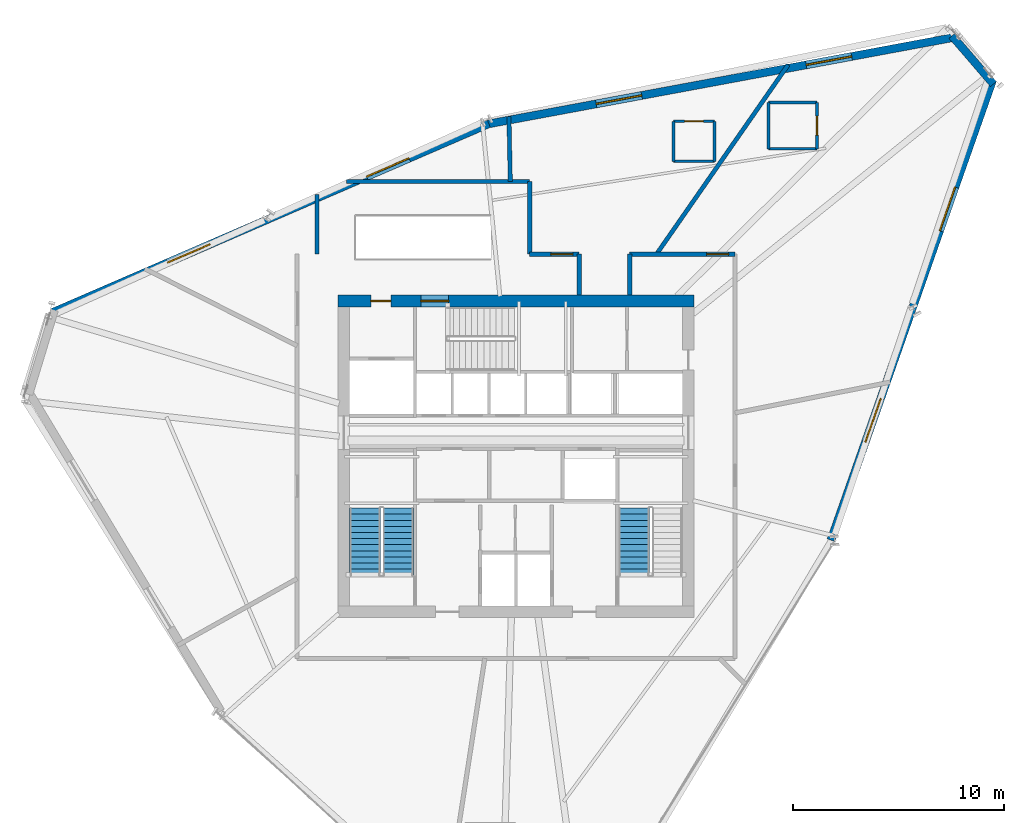
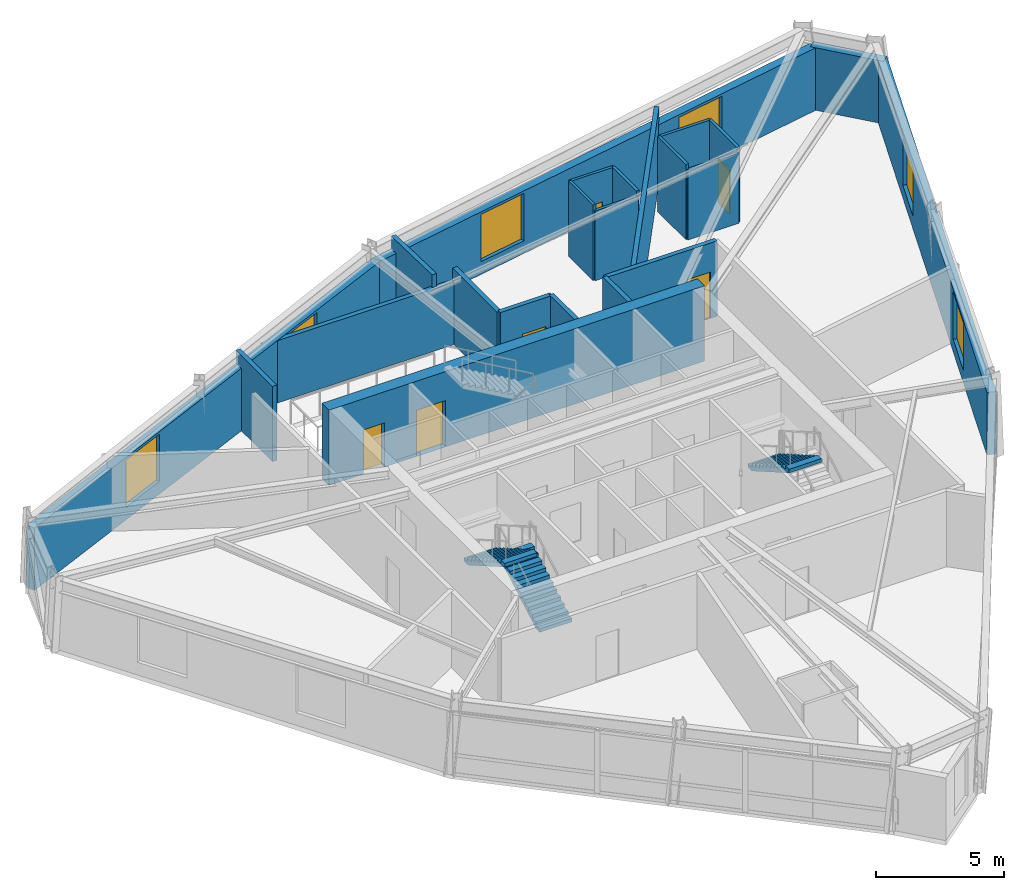
# One storey, part 11 of 13: 22 walls, 6 doors, 6 windows, 3 stair flights, 12 openings, 2 elements without a shape of their own.
"""IFC4 building model written with IfcOpenShell, lengths in metres."""

import ifcopenshell
import ifcopenshell.guid

model = None  # the IFC model being written
_history = None  # IfcOwnerHistory: only IFC2X3 demands one
_inside = {}  # id of a spatial element -> (the spatial element, [elements in it])
_under = {}  # id of a project, library or spatial element -> (it, [spatial elements below it])
_declared = {}  # id of a project -> (the project, [libraries it declares])
_typed = {}  # id of a type object -> (the type object, [elements of that type])
_made_of = {}  # id of a material, layer set ... -> (it, [elements and type objects made of it])


def new_model(schema):
    """Start an empty IFC model of exactly this schema.

    Asked for "IFC4X3", IfcOpenShell would pick the latest addendum, in which some entities
    have other attributes; the version numbers below select the first issue.
    IFC2X3 requires an IfcOwnerHistory on every rooted entity: one is made here for all.
    """
    global model, _history
    if schema == "IFC4X3":
        model = ifcopenshell.file(schema_version=(4, 3, 0, 0))
    else:
        model = ifcopenshell.file(schema=schema)
    _inside.clear()
    _under.clear()
    _declared.clear()
    _typed.clear()
    _made_of.clear()
    _history = None
    if model.schema == "IFC2X3":
        org = make("IfcOrganization", Name="unknown")
        user = make(
            "IfcPersonAndOrganization",
            ThePerson=make("IfcPerson", FamilyName="unknown"),
            TheOrganization=org,
        )
        app = make(
            "IfcApplication",
            ApplicationDeveloper=org,
            Version="unknown",
            ApplicationFullName="unknown",
            ApplicationIdentifier="unknown",
        )
        _history = make(
            "IfcOwnerHistory",
            OwningUser=user,
            OwningApplication=app,
            ChangeAction="ADDED",
            CreationDate=0,
        )
    return model


def make(cls, **values):
    """One entity of the class cls with the attributes given. An attribute that is None is left unset."""
    return model.create_entity(
        cls, **{name: value for name, value in values.items() if value is not None}
    )


def rooted(cls, **values):
    """An entity with a GlobalId (a new one), such as an element, a storey or a relation."""
    return make(cls, GlobalId=ifcopenshell.guid.new(), OwnerHistory=_history, **values)


def si_unit(unit_type, name, prefix=None):
    """IfcSIUnit, for example si_unit("LENGTHUNIT", "METRE", prefix="MILLI")."""
    return make("IfcSIUnit", UnitType=unit_type, Prefix=prefix, Name=name)


def assignment(units):
    """IfcUnitAssignment: the units of a project."""
    return None if units is None else make("IfcUnitAssignment", Units=units)


def point(xyz):
    """IfcCartesianPoint."""
    return None if xyz is None else make("IfcCartesianPoint", Coordinates=xyz)


def direction(xyz):
    """IfcDirection."""
    return None if xyz is None else make("IfcDirection", DirectionRatios=xyz)


def frame(location, z_axis=None, x_axis=None):
    """IfcAxis2Placement3D, a coordinate frame: its origin and axes. An axis left out is left unset."""
    return make(
        "IfcAxis2Placement3D",
        Location=point(location),
        Axis=direction(z_axis),
        RefDirection=direction(x_axis),
    )


def frame_2d(location, x_axis=None):
    """IfcAxis2Placement2D, a coordinate frame in the plane: its origin and x axis."""
    return make(
        "IfcAxis2Placement2D", Location=point(location), RefDirection=direction(x_axis)
    )


def origin():
    """The frame at (0, 0, 0) with its axes left unset."""
    return frame((0.0, 0.0, 0.0))


def place(relative_to, where):
    """IfcLocalPlacement: puts the frame where relative to a parent placement (None: the world)."""
    return make(
        "IfcLocalPlacement", PlacementRelTo=relative_to, RelativePlacement=where
    )


def context(
    kind, dimensions, precision=None, world=None, true_north=None, identifier=None
):
    """IfcGeometricRepresentationContext, for example the 3D "Model" context."""
    return make(
        "IfcGeometricRepresentationContext",
        ContextIdentifier=identifier,
        ContextType=kind,
        CoordinateSpaceDimension=dimensions,
        Precision=precision,
        WorldCoordinateSystem=world,
        TrueNorth=true_north,
    )


def subcontext(parent, identifier, kind, view, scale=None):
    """IfcGeometricRepresentationSubContext, for example "Body" below "Model"."""
    return make(
        "IfcGeometricRepresentationSubContext",
        ContextIdentifier=identifier,
        ContextType=kind,
        ParentContext=parent,
        TargetScale=scale,
        TargetView=view,
    )


def project(units=None, contexts=None):
    """IfcProject with its units and contexts."""
    return rooted(
        "IfcProject",
        Name="project",
        RepresentationContexts=contexts,
        UnitsInContext=assignment(units),
    )


def spatial(cls, under=None, at=None, **own):
    """A site, building, storey or space (cls), placed at a placement, below another one or the project."""
    s = rooted(cls, ObjectPlacement=at, **own)
    if under is not None:
        _under.setdefault(under.id(), (under, []))[1].append(s)
    return s


def polyline(points):
    """IfcPolyline through the points."""
    return make("IfcPolyline", Points=[point(p) for p in points])


def profile(cls, at=None, kind="AREA", **sizes):
    """A parametric profile (cls). Its sizes go by their IFC names, for example OverallWidth=200.0."""
    return make(cls, ProfileType=kind, Position=at, **sizes)


def rectangle(**sizes):
    """IfcRectangleProfileDef."""
    return profile("IfcRectangleProfileDef", **sizes)


def outline(outer, holes=None, kind="AREA"):
    """IfcArbitraryClosedProfileDef: a profile drawn as a closed curve; with holes, ...WithVoids."""
    if holes is None:
        return make("IfcArbitraryClosedProfileDef", ProfileType=kind, OuterCurve=outer)
    return make(
        "IfcArbitraryProfileDefWithVoids",
        ProfileType=kind,
        OuterCurve=outer,
        InnerCurves=holes,
    )


def extrude(swept, where, along, depth):
    """IfcExtrudedAreaSolid: the profile swept, set in the frame where, extruded along a direction by depth."""
    return make(
        "IfcExtrudedAreaSolid",
        SweptArea=swept,
        Position=where,
        ExtrudedDirection=direction(along),
        Depth=depth,
    )


def shape(context_of_items, identifier, shape_type, items):
    """IfcShapeRepresentation: the items that make up one representation, for example the "Body"."""
    return make(
        "IfcShapeRepresentation",
        ContextOfItems=context_of_items,
        RepresentationIdentifier=identifier,
        RepresentationType=shape_type,
        Items=items,
    )


def source(mapping_origin, context_of_items, identifier, shape_type, items):
    """IfcRepresentationMap: a shape defined once, which mapped items show again and again."""
    return make(
        "IfcRepresentationMap",
        MappingOrigin=mapping_origin,
        MappedRepresentation=shape(context_of_items, identifier, shape_type, items),
    )


def transform(
    local_origin,
    x_axis=None,
    y_axis=None,
    z_axis=None,
    scale=None,
    scale2=None,
    scale3=None,
    uniform=True,
):
    """IfcCartesianTransformationOperator3D, or its non-uniform kind. x_axis, y_axis, z_axis: its Axis1, 2, 3."""
    if uniform:
        return make(
            "IfcCartesianTransformationOperator3D",
            Axis1=direction(x_axis),
            Axis2=direction(y_axis),
            LocalOrigin=point(local_origin),
            Scale=scale,
            Axis3=direction(z_axis),
        )
    return make(
        "IfcCartesianTransformationOperator3DnonUniform",
        Axis1=direction(x_axis),
        Axis2=direction(y_axis),
        LocalOrigin=point(local_origin),
        Scale=scale,
        Axis3=direction(z_axis),
        Scale2=scale2,
        Scale3=scale3,
    )


def mapped(mapping_source, mapping_target):
    """IfcMappedItem: shows the shape of a source again, moved by a transform."""
    return make(
        "IfcMappedItem", MappingSource=mapping_source, MappingTarget=mapping_target
    )


def material(Name=None, Category=None):
    """IfcMaterial."""
    return make("IfcMaterial", Name=Name, Category=Category)


def layer(
    of_material, thickness, ventilated=None, Name=None, Category=None, Priority=None
):
    """IfcMaterialLayer: one layer of a wall or slab, of a material (None: an air gap)."""
    return make(
        "IfcMaterialLayer",
        Material=of_material,
        LayerThickness=thickness,
        IsVentilated=ventilated,
        Name=Name,
        Category=Category,
        Priority=Priority,
    )


def layer_set(layers, Name=None):
    """IfcMaterialLayerSet."""
    return make("IfcMaterialLayerSet", MaterialLayers=layers, LayerSetName=Name)


def made_of(thing, what):
    """Note that an element or type object is made of a material, layer set ...; save() writes the relation."""
    if what is not None:
        _made_of.setdefault(what.id(), (what, []))[1].append(thing)
    return thing


def type_object(cls, material=None, **own):
    """A type object (cls), such as IfcWallType, which elements share."""
    return made_of(rooted(cls, **own), material)


def type_shapes(of_type, sources):
    """Give a type object the sources (RepresentationMaps) that its elements show as mapped items."""
    of_type.RepresentationMaps = sources


def element(
    cls,
    number,
    at=None,
    inside=None,
    cuts=None,
    type_object=None,
    material=None,
    context=None,
    identifier="Body",
    shape_type=None,
    held_by="IfcProductDefinitionShape",
    body=None,
    shapes=None,
    **own,
):
    """One element of the class cls, such as IfcWall. Its Tag is "e" and its number.

    at: its placement. inside: the storey or other place that contains it. cuts: it is an
    opening in that element (IfcRelVoidsElement). A single representation is given by context,
    identifier, shape_type and body (its items); several are given by shapes. held_by: the class
    of the entity that holds the representations. save() writes the other relations.
    """
    e = rooted(cls, Tag="e%d" % number, ObjectPlacement=at, **own)
    if body is not None:
        shapes = [shape(context, identifier, shape_type, body)]
    if shapes is not None:
        e.Representation = make(held_by, Representations=shapes)
    if inside is not None:
        _inside.setdefault(inside.id(), (inside, []))[1].append(e)
    if cuts is not None:
        rooted(
            "IfcRelVoidsElement", RelatingBuildingElement=cuts, RelatedOpeningElement=e
        )
    if type_object is not None:
        _typed.setdefault(type_object.id(), (type_object, []))[1].append(e)
    return made_of(e, material)


def fill(opening, filler):
    """IfcRelFillsElement: the door or window that sits in an opening."""
    return rooted(
        "IfcRelFillsElement",
        RelatingOpeningElement=opening,
        RelatedBuildingElement=filler,
    )


def aggregate(whole, parts):
    """IfcRelAggregates: a whole, such as a stair, and the parts it consists of."""
    return rooted("IfcRelAggregates", RelatingObject=whole, RelatedObjects=parts)


def save(model, path):
    """Write the relations noted so far, then the file.

    IfcRelAggregates (storeys below a building ...), IfcRelContainedInSpatialStructure (elements
    in a storey), IfcRelDefinesByType, IfcRelAssociatesMaterial and IfcRelDeclares: one each for
    every whole, place, type object, material and project.
    """
    for whole, parts in _under.values():
        aggregate(whole, parts)
    for where, things in _inside.values():
        rooted(
            "IfcRelContainedInSpatialStructure",
            RelatedElements=things,
            RelatingStructure=where,
        )
    for kind, things in _typed.values():
        rooted("IfcRelDefinesByType", RelatedObjects=things, RelatingType=kind)
    for what, things in _made_of.values():
        rooted("IfcRelAssociatesMaterial", RelatedObjects=things, RelatingMaterial=what)
    for by, libraries in _declared.values():
        rooted("IfcRelDeclares", RelatingContext=by, RelatedDefinitions=libraries)
    model.write(path)


model = new_model("IFC4")

# Units and contexts
model_context = context("Model", 3, precision=1e-05, world=origin(), true_north=direction((0.0, 1.0)))
body_context = subcontext(model_context, "Body", "Model", "MODEL_VIEW")
ifc_project = project(units=[si_unit("LENGTHUNIT", "METRE"), si_unit("AREAUNIT", "SQUARE_METRE"), si_unit("VOLUMEUNIT", "CUBIC_METRE"), si_unit("PLANEANGLEUNIT", "RADIAN"), si_unit("MASSUNIT", "GRAM", prefix="KILO")], contexts=[model_context])

# Site, building, storey
site_placement = place(None, origin())
site = spatial("IfcSite", under=ifc_project, at=site_placement, CompositionType="ELEMENT")
building_placement = place(site_placement, origin())
building = spatial("IfcBuilding", under=site, at=building_placement, Name="Olszyna Solenne Hotel", CompositionType="ELEMENT")
storey_placement = place(building_placement, frame((0.0, 0.0, 200.300048828125)))
storey = spatial("IfcBuildingStorey", under=building, at=storey_placement, Name="L53", CompositionType="ELEMENT", Elevation=200.300048828125)

# Wall, openings, doors
ifc_material_1 = material(Name="Concrete C50/60", Category="concrete")
ifc_layer_1 = layer(ifc_material_1, 0.550048828125, Name="Concrete C50/60")
ifc_layer_set_1 = layer_set([ifc_layer_1], Name="Concrete C50/60")
wall_type_1 = type_object("IfcWallType", Name="WL-CR550", PredefinedType="SHEAR", material=ifc_layer_set_1)
wall_1_placement = place(storey_placement, frame((29.550048828125, 33.97509765625, 0.0), z_axis=(0.0, 0.0, 1.0), x_axis=(1.0, 0.0, 0.0)))
wall_1 = element("IfcWall", 1, at=wall_1_placement, inside=storey, type_object=wall_type_1, Name="Core shear wall WL-CR550 CRW-L53-N", PredefinedType="SHEAR", context=body_context, shape_type="SweptSolid", body=[
    extrude(rectangle(XDim=16.89990234375, YDim=0.550048828125, at=frame_2d((8.449951171875, 0.0))), origin(), (0.0, 0.0, 1.0), 3.579833984375),
])
opening_1_placement = place(wall_1_placement, frame((1.550048828125, 0.0, 0.0)))
opening_1 = element("IfcOpeningElement", 2, at=opening_1_placement, cuts=wall_1, Name="Opening SVD-L53-01", PredefinedType="OPENING", context=body_context, shape_type="SweptSolid", body=[
    extrude(rectangle(XDim=0.949951171875, YDim=2.10009765625, at=frame_2d((0.47509765625, 1.050048828125))), frame((0.0, 0.28515625, 0.0), z_axis=(0.0, -1.0, 0.0), x_axis=(1.0, 0.0, 0.0)), (0.0, 0.0, 1.0), 0.570068359375),
])
opening_2_placement = place(wall_1_placement, frame((3.929931640625, 0.0, 0.0)))
opening_2 = element("IfcOpeningElement", 3, at=opening_2_placement, cuts=wall_1, Name="Opening STD-L53-03", PredefinedType="OPENING", context=body_context, shape_type="SweptSolid", body=[
    extrude(rectangle(XDim=1.320068359375, YDim=2.199951171875, at=frame_2d((0.66015625, 1.10009765625))), frame((0.0, 0.28515625, 0.0), z_axis=(0.0, -1.0, 0.0), x_axis=(1.0, 0.0, 0.0)), (0.0, 0.0, 1.0), 0.570068359375),
])
ifc_material_2 = material(Name="Steel S355J2", Category="steel")
door_type_1 = type_object("IfcDoorType", Name="DR-ST1", OperationType="NOTDEFINED", PredefinedType="DOOR", material=ifc_material_2)
shared_shape_1 = source(origin(), body_context, "Body", "SweptSolid", [
    extrude(rectangle(XDim=1.320068359375, YDim=2.199951171875, at=frame_2d((0.66015625, 1.10009765625))), frame((0.0, 0.02490234375, 0.0), z_axis=(0.0, -1.0, 0.0), x_axis=(1.0, 0.0, 0.0)), (0.0, 0.0, 1.0), 0.050048828125),
])
type_shapes(door_type_1, [shared_shape_1])
door_1_placement = place(opening_2_placement, origin())
door_1 = element("IfcDoor", 4, at=door_1_placement, inside=storey, type_object=door_type_1, Name="Pressurised exit stair ST3 fire door STD-L53-03", OperationType="SINGLE_SWING_RIGHT", OverallHeight=2.199951171875, OverallWidth=1.320068359375, PredefinedType="DOOR", context=body_context, shape_type="MappedRepresentation", body=[
    mapped(shared_shape_1, transform((0.0, 0.0, 0.0), x_axis=(1.0, 0.0, 0.0), y_axis=(0.0, 1.0, 0.0), z_axis=(0.0, 0.0, 1.0), scale=1.0)),
])
fill(opening_2, door_1)
door_type_2 = type_object("IfcDoorType", Name="DR-SV1", OperationType="NOTDEFINED", PredefinedType="DOOR", material=ifc_material_2)
shared_shape_2 = source(origin(), body_context, "Body", "SweptSolid", [
    extrude(rectangle(XDim=0.949951171875, YDim=2.10009765625, at=frame_2d((0.47509765625, 1.050048828125))), frame((0.0, 0.02490234375, 0.0), z_axis=(0.0, -1.0, 0.0), x_axis=(1.0, 0.0, 0.0)), (0.0, 0.0, 1.0), 0.050048828125),
])
type_shapes(door_type_2, [shared_shape_2])
door_2_placement = place(opening_1_placement, origin())
door_2 = element("IfcDoor", 5, at=door_2_placement, inside=storey, type_object=door_type_2, Name="Service lift lobby fire door SVD-L53-01", OperationType="SINGLE_SWING_LEFT", OverallHeight=2.10009765625, OverallWidth=0.949951171875, PredefinedType="DOOR", context=body_context, shape_type="MappedRepresentation", body=[
    mapped(shared_shape_2, transform((0.0, 0.0, 0.0), x_axis=(1.0, 0.0, 0.0), y_axis=(0.0, 1.0, 0.0), z_axis=(0.0, 0.0, 1.0), scale=1.0)),
])
fill(opening_1, door_2)

# Wall, openings, windows
ifc_material_3 = material(Name="Terracotta cladding on precast concrete C45/55", Category="masonry")
ifc_layer_2 = layer(ifc_material_3, 0.3798828125, Name="Terracotta cladding on precast concrete C45/55")
ifc_layer_set_2 = layer_set([ifc_layer_2], Name="Terracotta cladding on precast concrete C45/55")
wall_type_2 = type_object("IfcWallType", Name="WL-EX380", PredefinedType="SOLIDWALL", material=ifc_layer_set_2)
wall_2_placement = place(storey_placement, frame((15.96630859375, 33.426025390625, 0.0), z_axis=(0.0, 0.0, 1.0), x_axis=(0.917865013835, 0.396892701341, 0.0)))
wall_2 = element("IfcWall", 6, at=wall_2_placement, inside=storey, type_object=wall_type_2, Name="Exterior terracotta-precast frame wall WL-EX380 EW-L53-07", PredefinedType="SOLIDWALL", context=body_context, shape_type="SweptSolid", body=[
    extrude(rectangle(XDim=22.59814453125, YDim=0.3798828125, at=frame_2d((11.299072265625, 0.0))), origin(), (0.0, 0.0, 1.0), 2.971923828125),
])
opening_3_placement = place(wall_2_placement, frame((5.97705078125, 0.0, 0.60205078125)))
opening_3 = element("IfcOpeningElement", 7, at=opening_3_placement, cuts=wall_2, Name="Opening WN-L53-344", PredefinedType="OPENING", context=body_context, shape_type="SweptSolid", body=[
    extrude(rectangle(XDim=2.199951171875, YDim=2.25, at=frame_2d((1.10009765625, 1.125))), frame((0.0, 0.199951171875, 0.0), z_axis=(0.0, -1.0, 0.0), x_axis=(1.0, 0.0, 0.0)), (0.0, 0.0, 1.0), 0.39990234375),
])
opening_4_placement = place(wall_2_placement, frame((16.27001953125, 0.0, 0.60205078125)))
opening_4 = element("IfcOpeningElement", 8, at=opening_4_placement, cuts=wall_2, Name="Opening WN-L53-345", PredefinedType="OPENING", context=body_context, shape_type="SweptSolid", body=[
    extrude(rectangle(XDim=2.199951171875, YDim=2.25, at=frame_2d((1.10009765625, 1.125))), frame((0.0, 0.199951171875, 0.0), z_axis=(0.0, -1.0, 0.0), x_axis=(1.0, 0.0, 0.0)), (0.0, 0.0, 1.0), 0.39990234375),
])
ifc_material_4 = material(Name="Low-E triple glazing", Category="glass")
window_type = type_object("IfcWindowType", Name="WN-HT2", PartitioningType="SINGLE_PANEL", PredefinedType="WINDOW", material=ifc_material_4)
shared_shape_3 = source(origin(), body_context, "Body", "SweptSolid", [
    extrude(rectangle(XDim=2.199951171875, YDim=2.25, at=frame_2d((1.10009765625, 1.125))), frame((0.0, 0.030029296875, 0.0), z_axis=(0.0, -1.0, 0.0), x_axis=(1.0, 0.0, 0.0)), (0.0, 0.0, 1.0), 0.06005859375),
])
type_shapes(window_type, [shared_shape_3])
window_1_placement = place(opening_3_placement, origin())
window_1 = element("IfcWindow", 9, at=window_1_placement, inside=storey, type_object=window_type, Name="Exterior facade window WN-HT2 WN-L53-344", OverallHeight=2.25, OverallWidth=2.199951171875, PartitioningType="SINGLE_PANEL", PredefinedType="WINDOW", context=body_context, shape_type="MappedRepresentation", body=[
    mapped(shared_shape_3, transform((0.0, 0.0, 0.0), x_axis=(1.0, 0.0, 0.0), y_axis=(0.0, 1.0, 0.0), z_axis=(0.0, 0.0, 1.0), scale=1.0)),
])
fill(opening_3, window_1)
window_2_placement = place(opening_4_placement, origin())
window_2 = element("IfcWindow", 10, at=window_2_placement, inside=storey, type_object=window_type, Name="Exterior facade window WN-HT2 WN-L53-345", OverallHeight=2.25, OverallWidth=2.199951171875, PartitioningType="SINGLE_PANEL", PredefinedType="WINDOW", context=body_context, shape_type="MappedRepresentation", body=[
    mapped(shared_shape_3, transform((0.0, 0.0, 0.0), x_axis=(1.0, 0.0, 0.0), y_axis=(0.0, 1.0, 0.0), z_axis=(0.0, 0.0, 1.0), scale=1.0)),
])
fill(opening_4, window_2)

wall_3_placement = place(storey_placement, frame((36.66748046875, 42.382568359375, 0.0), z_axis=(0.0, 0.0, 1.0), x_axis=(0.983180478303, 0.182636653177, 0.0)))
wall_3 = element("IfcWall", 11, at=wall_3_placement, inside=storey, type_object=wall_type_2, Name="Exterior terracotta-precast frame wall WL-EX380 EW-L53-08", PredefinedType="SOLIDWALL", context=body_context, shape_type="SweptSolid", body=[
    extrude(rectangle(XDim=22.597900390625, YDim=0.3798828125, at=frame_2d((11.298828125, 0.0))), origin(), (0.0, 0.0, 1.0), 2.971923828125),
])
opening_5_placement = place(wall_3_placement, frame((5.22705078125, 0.0, 0.60205078125)))
opening_5 = element("IfcOpeningElement", 12, at=opening_5_placement, cuts=wall_3, Name="Opening WN-L53-346", PredefinedType="OPENING", context=body_context, shape_type="SweptSolid", body=[
    extrude(rectangle(XDim=2.199951171875, YDim=2.25, at=frame_2d((1.10009765625, 1.125))), frame((0.0, 0.199951171875, 0.0), z_axis=(0.0, -1.0, 0.0), x_axis=(1.0, 0.0, 0.0)), (0.0, 0.0, 1.0), 0.39990234375),
])
opening_6_placement = place(wall_3_placement, frame((15.3701171875, 0.0, 0.60205078125)))
opening_6 = element("IfcOpeningElement", 13, at=opening_6_placement, cuts=wall_3, Name="Opening WN-L53-347", PredefinedType="OPENING", context=body_context, shape_type="SweptSolid", body=[
    extrude(rectangle(XDim=2.199951171875, YDim=2.25, at=frame_2d((1.10009765625, 1.125))), frame((0.0, 0.199951171875, 0.0), z_axis=(0.0, -1.0, 0.0), x_axis=(1.0, 0.0, 0.0)), (0.0, 0.0, 1.0), 0.39990234375),
])
window_3_placement = place(opening_5_placement, origin())
window_3 = element("IfcWindow", 14, at=window_3_placement, inside=storey, type_object=window_type, Name="Exterior facade window WN-HT2 WN-L53-346", OverallHeight=2.25, OverallWidth=2.199951171875, PartitioningType="SINGLE_PANEL", PredefinedType="WINDOW", context=body_context, shape_type="MappedRepresentation", body=[
    mapped(shared_shape_3, transform((0.0, 0.0, 0.0), x_axis=(1.0, 0.0, 0.0), y_axis=(0.0, 1.0, 0.0), z_axis=(0.0, 0.0, 1.0), scale=1.0)),
])
fill(opening_5, window_3)
window_4_placement = place(opening_6_placement, origin())
window_4 = element("IfcWindow", 15, at=window_4_placement, inside=storey, type_object=window_type, Name="Exterior facade window WN-HT2 WN-L53-347", OverallHeight=2.25, OverallWidth=2.199951171875, PartitioningType="SINGLE_PANEL", PredefinedType="WINDOW", context=body_context, shape_type="MappedRepresentation", body=[
    mapped(shared_shape_3, transform((0.0, 0.0, 0.0), x_axis=(1.0, 0.0, 0.0), y_axis=(0.0, 1.0, 0.0), z_axis=(0.0, 0.0, 1.0), scale=1.0)),
])
fill(opening_6, window_4)

# Wall
wall_4_placement = place(storey_placement, frame((58.706298828125, 46.57275390625, 0.0), z_axis=(0.0, 0.0, 1.0), x_axis=(0.651396453901, -0.758737543453, 0.0)))
element("IfcWall", 16, at=wall_4_placement, inside=storey, type_object=wall_type_2, Name="Exterior terracotta-precast frame wall WL-EX380 EW-L53-09", PredefinedType="SOLIDWALL", context=body_context, shape_type="SweptSolid", body=[
    extrude(rectangle(XDim=3.022705078125, YDim=0.3798828125, at=frame_2d((1.51123046875, 0.0))), origin(), (0.0, 0.0, 1.0), 2.971923828125),
])

# Wall, openings, windows
wall_5_placement = place(storey_placement, frame((60.640380859375, 44.46630859375, 0.0), z_axis=(0.0, 0.0, 1.0), x_axis=(-0.331792792619, -0.94335228985, 0.0)))
wall_5 = element("IfcWall", 17, at=wall_5_placement, inside=storey, type_object=wall_type_2, Name="Exterior terracotta-precast frame wall WL-EX380 EW-L53-10", PredefinedType="SOLIDWALL", context=body_context, shape_type="SweptSolid", body=[
    extrude(rectangle(XDim=23.162841796875, YDim=0.3798828125, at=frame_2d((11.58154296875, 0.0))), origin(), (0.0, 0.0, 1.0), 2.971923828125),
])
opening_7_placement = place(wall_5_placement, frame((5.385986328125, 0.0, 0.60205078125)))
opening_7 = element("IfcOpeningElement", 18, at=opening_7_placement, cuts=wall_5, Name="Opening WN-L53-348", PredefinedType="OPENING", context=body_context, shape_type="SweptSolid", body=[
    extrude(rectangle(XDim=2.199951171875, YDim=2.25, at=frame_2d((1.10009765625, 1.125))), frame((0.0, 0.199951171875, 0.0), z_axis=(0.0, -1.0, 0.0), x_axis=(1.0, 0.0, 0.0)), (0.0, 0.0, 1.0), 0.39990234375),
])
opening_8_placement = place(wall_5_placement, frame((16.027099609375, 0.0, 0.60205078125)))
opening_8 = element("IfcOpeningElement", 19, at=opening_8_placement, cuts=wall_5, Name="Opening WN-L53-349", PredefinedType="OPENING", context=body_context, shape_type="SweptSolid", body=[
    extrude(rectangle(XDim=2.199951171875, YDim=2.25, at=frame_2d((1.10009765625, 1.125))), frame((0.0, 0.199951171875, 0.0), z_axis=(0.0, -1.0, 0.0), x_axis=(1.0, 0.0, 0.0)), (0.0, 0.0, 1.0), 0.39990234375),
])
window_5_placement = place(opening_7_placement, origin())
window_5 = element("IfcWindow", 20, at=window_5_placement, inside=storey, type_object=window_type, Name="Exterior facade window WN-HT2 WN-L53-348", OverallHeight=2.25, OverallWidth=2.199951171875, PartitioningType="SINGLE_PANEL", PredefinedType="WINDOW", context=body_context, shape_type="MappedRepresentation", body=[
    mapped(shared_shape_3, transform((0.0, 0.0, 0.0), x_axis=(1.0, 0.0, 0.0), y_axis=(0.0, 1.0, 0.0), z_axis=(0.0, 0.0, 1.0), scale=1.0)),
])
fill(opening_7, window_5)
window_6_placement = place(opening_8_placement, origin())
window_6 = element("IfcWindow", 21, at=window_6_placement, inside=storey, type_object=window_type, Name="Exterior facade window WN-HT2 WN-L53-349", OverallHeight=2.25, OverallWidth=2.199951171875, PartitioningType="SINGLE_PANEL", PredefinedType="WINDOW", context=body_context, shape_type="MappedRepresentation", body=[
    mapped(shared_shape_3, transform((0.0, 0.0, 0.0), x_axis=(1.0, 0.0, 0.0), y_axis=(0.0, 1.0, 0.0), z_axis=(0.0, 0.0, 1.0), scale=1.0)),
])
fill(opening_8, window_6)

# Wall, opening, door
ifc_material_5 = material(Name="Acoustic gypsum partition", Category="gypsum")
ifc_layer_3 = layer(ifc_material_5, 0.125, Name="Acoustic gypsum partition")
ifc_layer_set_3 = layer_set([ifc_layer_3], Name="Acoustic gypsum partition")
wall_type_3 = type_object("IfcWallType", Name="WL-PT125", PredefinedType="PARTITIONING", material=ifc_layer_set_3)
wall_6_placement = place(storey_placement, frame((52.29296875, 41.200927734375, 0.0), z_axis=(0.0, 0.0, 1.0), x_axis=(0.0, 1.0, 0.0)))
wall_6 = element("IfcWall", 22, at=wall_6_placement, inside=storey, type_object=wall_type_3, Name="Interior acoustic partition WL-PT125 PW-L53-2990", PredefinedType="PARTITIONING", context=body_context, shape_type="SweptSolid", body=[
    extrude(rectangle(XDim=2.199951171875, YDim=0.125, at=frame_2d((1.10009765625, 0.0))), origin(), (0.0, 0.0, 1.0), 3.579833984375),
])
opening_9_placement = place(wall_6_placement, frame((0.64990234375, 0.0, 0.0)))
opening_9 = element("IfcOpeningElement", 23, at=opening_9_placement, cuts=wall_6, Name="Opening DR-L53-0725", PredefinedType="OPENING", context=body_context, shape_type="SweptSolid", body=[
    extrude(rectangle(XDim=0.89990234375, YDim=2.10009765625, at=frame_2d((0.449951171875, 1.050048828125))), frame((0.0, 0.072509765625, 0.0), z_axis=(0.0, -1.0, 0.0), x_axis=(1.0, 0.0, 0.0)), (0.0, 0.0, 1.0), 0.14501953125),
])
ifc_material_6 = material(Name="Timber hardwood", Category="wood")
door_type_3 = type_object("IfcDoorType", Name="DR-WC1", OperationType="NOTDEFINED", PredefinedType="DOOR", material=ifc_material_6)
shared_shape_4 = source(origin(), body_context, "Body", "SweptSolid", [
    extrude(rectangle(XDim=0.89990234375, YDim=2.10009765625, at=frame_2d((0.449951171875, 1.050048828125))), frame((0.0, 0.02490234375, 0.0), z_axis=(0.0, -1.0, 0.0), x_axis=(1.0, 0.0, 0.0)), (0.0, 0.0, 1.0), 0.050048828125),
])
type_shapes(door_type_3, [shared_shape_4])
door_3_placement = place(opening_9_placement, origin())
door_3 = element("IfcDoor", 24, at=door_3_placement, inside=storey, type_object=door_type_3, Name="En-Suite Bathroom Door DR-L53-0725", OperationType="SINGLE_SWING_RIGHT", OverallHeight=2.10009765625, OverallWidth=0.89990234375, PredefinedType="DOOR", context=body_context, shape_type="MappedRepresentation", body=[
    mapped(shared_shape_4, transform((0.0, 0.0, 0.0), x_axis=(1.0, 0.0, 0.0), y_axis=(0.0, 1.0, 0.0), z_axis=(0.0, 0.0, 1.0), scale=1.0)),
])
fill(opening_9, door_3)

# Walls
wall_7_placement = place(storey_placement, frame((52.29296875, 43.40087890625, 0.0), z_axis=(0.0, 0.0, 1.0), x_axis=(-1.0, 0.0, 0.0)))
element("IfcWall", 25, at=wall_7_placement, inside=storey, type_object=wall_type_3, Name="Interior acoustic partition WL-PT125 PW-L53-2991", PredefinedType="PARTITIONING", context=body_context, shape_type="SweptSolid", body=[
    extrude(rectangle(XDim=2.300048828125, YDim=0.125, at=frame_2d((1.14990234375, 0.0))), origin(), (0.0, 0.0, 1.0), 3.579833984375),
])
wall_8_placement = place(storey_placement, frame((49.992919921875, 43.40087890625, 0.0), z_axis=(0.0, 0.0, 1.0), x_axis=(0.0, -1.0, 0.0)))
element("IfcWall", 26, at=wall_8_placement, inside=storey, type_object=wall_type_3, Name="Interior acoustic partition WL-PT125 PW-L53-2992", PredefinedType="PARTITIONING", context=body_context, shape_type="SweptSolid", body=[
    extrude(rectangle(XDim=2.199951171875, YDim=0.125, at=frame_2d((1.10009765625, 0.0))), origin(), (0.0, 0.0, 1.0), 3.579833984375),
])
wall_9_placement = place(storey_placement, frame((49.992919921875, 41.200927734375, 0.0), z_axis=(0.0, 0.0, 1.0), x_axis=(1.0, 0.0, 0.0)))
element("IfcWall", 27, at=wall_9_placement, inside=storey, type_object=wall_type_3, Name="Interior acoustic partition WL-PT125 PW-L53-2993", PredefinedType="PARTITIONING", context=body_context, shape_type="SweptSolid", body=[
    extrude(rectangle(XDim=2.300048828125, YDim=0.125, at=frame_2d((1.14990234375, 0.0))), origin(), (0.0, 0.0, 1.0), 3.324951171875),
])
wall_10_placement = place(storey_placement, frame((47.426025390625, 40.611083984375, 0.0), z_axis=(0.0, 0.0, 1.0), x_axis=(0.0, 1.0, 0.0)))
element("IfcWall", 28, at=wall_10_placement, inside=storey, type_object=wall_type_3, Name="Interior acoustic partition WL-PT125 PW-L53-2994", PredefinedType="PARTITIONING", context=body_context, shape_type="SweptSolid", body=[
    extrude(rectangle(XDim=1.89990234375, YDim=0.125, at=frame_2d((0.949951171875, 0.0))), origin(), (0.0, 0.0, 1.0), 3.579833984375),
])

# Wall, opening, door
wall_11_placement = place(storey_placement, frame((47.426025390625, 42.510986328125, 0.0), z_axis=(0.0, 0.0, 1.0), x_axis=(-1.0, 0.0, 0.0)))
wall_11 = element("IfcWall", 29, at=wall_11_placement, inside=storey, type_object=wall_type_3, Name="Interior acoustic partition WL-PT125 PW-L53-2995", PredefinedType="PARTITIONING", context=body_context, shape_type="SweptSolid", body=[
    extrude(rectangle(XDim=1.949951171875, YDim=0.125, at=frame_2d((0.97509765625, 0.0))), origin(), (0.0, 0.0, 1.0), 3.579833984375),
])
opening_10_placement = place(wall_11_placement, frame((0.52490234375, 0.0, 0.0)))
opening_10 = element("IfcOpeningElement", 30, at=opening_10_placement, cuts=wall_11, Name="Opening DR-L53-0726", PredefinedType="OPENING", context=body_context, shape_type="SweptSolid", body=[
    extrude(rectangle(XDim=0.89990234375, YDim=2.10009765625, at=frame_2d((0.449951171875, 1.050048828125))), frame((0.0, 0.072509765625, 0.0), z_axis=(0.0, -1.0, 0.0), x_axis=(1.0, 0.0, 0.0)), (0.0, 0.0, 1.0), 0.14501953125),
])
door_4_placement = place(opening_10_placement, origin())
door_4 = element("IfcDoor", 31, at=door_4_placement, inside=storey, type_object=door_type_3, Name="En-Suite Bathroom Door DR-L53-0726", OperationType="SINGLE_SWING_LEFT", OverallHeight=2.10009765625, OverallWidth=0.89990234375, PredefinedType="DOOR", context=body_context, shape_type="MappedRepresentation", body=[
    mapped(shared_shape_4, transform((0.0, 0.0, 0.0), x_axis=(1.0, 0.0, 0.0), y_axis=(0.0, 1.0, 0.0), z_axis=(0.0, 0.0, 1.0), scale=1.0)),
])
fill(opening_10, door_4)

# Walls
wall_12_placement = place(storey_placement, frame((45.47607421875, 42.510986328125, 0.0), z_axis=(0.0, 0.0, 1.0), x_axis=(0.0, -1.0, 0.0)))
element("IfcWall", 32, at=wall_12_placement, inside=storey, type_object=wall_type_3, Name="Interior acoustic partition WL-PT125 PW-L53-2996", PredefinedType="PARTITIONING", context=body_context, shape_type="SweptSolid", body=[
    extrude(rectangle(XDim=1.89990234375, YDim=0.125, at=frame_2d((0.949951171875, 0.0))), origin(), (0.0, 0.0, 1.0), 3.579833984375),
])
wall_13_placement = place(storey_placement, frame((45.47607421875, 40.611083984375, 0.0), z_axis=(0.0, 0.0, 1.0), x_axis=(1.0, 0.0, 0.0)))
element("IfcWall", 33, at=wall_13_placement, inside=storey, type_object=wall_type_3, Name="Interior acoustic partition WL-PT125 PW-L53-2997", PredefinedType="PARTITIONING", context=body_context, shape_type="SweptSolid", body=[
    extrude(rectangle(XDim=1.949951171875, YDim=0.125, at=frame_2d((0.97509765625, 0.0))), origin(), (0.0, 0.0, 1.0), 3.324951171875),
])
ifc_layer_4 = layer(ifc_material_5, 0.199951171875, Name="Acoustic gypsum partition")
ifc_layer_set_4 = layer_set([ifc_layer_4], Name="Acoustic gypsum partition")
wall_type_4 = type_object("IfcWallType", Name="WL-PT200", PredefinedType="PARTITIONING", material=ifc_layer_set_4)
wall_14_placement = place(storey_placement, frame((37.7265625, 39.64990234375, 0.0), z_axis=(0.0, 0.0, 1.0), x_axis=(-0.020921228406, 0.999781127148, 0.0)))
element("IfcWall", 34, at=wall_14_placement, inside=storey, type_object=wall_type_4, Name="Interior acoustic partition WL-PT200 PW-L53-2979", PredefinedType="PARTITIONING", context=body_context, shape_type="SweptSolid", body=[
    extrude(rectangle(XDim=3.080810546875, YDim=0.199951171875, at=frame_2d((1.54052734375, 0.0))), origin(), (0.0, 0.0, 1.0), 3.579833984375),
])
wall_15_placement = place(storey_placement, frame((44.672119140625, 36.199951171875, 0.0), z_axis=(0.0, 0.0, 1.0), x_axis=(0.570707826582, 0.821153199274, 0.0)))
element("IfcWall", 35, at=wall_15_placement, inside=storey, type_object=wall_type_4, Name="Interior acoustic partition WL-PT200 PW-L53-2985", PredefinedType="PARTITIONING", context=body_context, shape_type="SweptSolid", body=[
    extrude(rectangle(XDim=10.9521484375, YDim=0.199951171875, at=frame_2d((5.47607421875, 0.0))), origin(), (0.0, 0.0, 1.0), 3.579833984375),
])

# Wall, opening, door
wall_16_placement = place(storey_placement, frame((38.64990234375, 36.199951171875, 0.0), z_axis=(0.0, 0.0, 1.0), x_axis=(1.0, 0.0, 0.0)))
wall_16 = element("IfcWall", 36, at=wall_16_placement, inside=storey, type_object=wall_type_4, Name="Interior acoustic partition WL-PT200 PW-L53-3000", PredefinedType="PARTITIONING", context=body_context, shape_type="SweptSolid", body=[
    extrude(rectangle(XDim=2.35009765625, YDim=0.199951171875, at=frame_2d((1.175048828125, 0.0))), origin(), (0.0, 0.0, 1.0), 3.579833984375),
])
opening_11_placement = place(wall_16_placement, frame((1.0, 0.0, 0.0)))
opening_11 = element("IfcOpeningElement", 37, at=opening_11_placement, cuts=wall_16, Name="Opening DR-L53-0731", PredefinedType="OPENING", context=body_context, shape_type="SweptSolid", body=[
    extrude(rectangle(XDim=1.050048828125, YDim=2.199951171875, at=frame_2d((0.52490234375, 1.10009765625))), frame((0.0, 0.10986328125, 0.0), z_axis=(0.0, -1.0, 0.0), x_axis=(1.0, 0.0, 0.0)), (0.0, 0.0, 1.0), 0.219970703125),
])
door_type_4 = type_object("IfcDoorType", Name="DR-RM2", OperationType="NOTDEFINED", PredefinedType="DOOR", material=ifc_material_6)
shared_shape_5 = source(origin(), body_context, "Body", "SweptSolid", [
    extrude(rectangle(XDim=1.050048828125, YDim=2.199951171875, at=frame_2d((0.52490234375, 1.10009765625))), frame((0.0, 0.02490234375, 0.0), z_axis=(0.0, -1.0, 0.0), x_axis=(1.0, 0.0, 0.0)), (0.0, 0.0, 1.0), 0.050048828125),
])
type_shapes(door_type_4, [shared_shape_5])
door_5_placement = place(opening_11_placement, origin())
door_5 = element("IfcDoor", 38, at=door_5_placement, inside=storey, type_object=door_type_4, Name="Executive Reading Salon Entrance Door DR-L53-0731", OperationType="SINGLE_SWING_RIGHT", OverallHeight=2.199951171875, OverallWidth=1.050048828125, PredefinedType="DOOR", context=body_context, shape_type="MappedRepresentation", body=[
    mapped(shared_shape_5, transform((0.0, 0.0, 0.0), x_axis=(1.0, 0.0, 0.0), y_axis=(0.0, 1.0, 0.0), z_axis=(0.0, 0.0, 1.0), scale=1.0)),
])
fill(opening_11, door_5)

# Wall
wall_17_placement = place(storey_placement, frame((41.0, 34.25, 0.0), z_axis=(0.0, 0.0, 1.0), x_axis=(0.0, 1.0, 0.0)))
element("IfcWall", 39, at=wall_17_placement, inside=storey, type_object=wall_type_4, Name="Interior acoustic partition WL-PT200 PW-L53-3001", PredefinedType="PARTITIONING", context=body_context, shape_type="SweptSolid", body=[
    extrude(rectangle(XDim=1.949951171875, YDim=0.199951171875, at=frame_2d((0.97509765625, 0.0))), origin(), (0.0, 0.0, 1.0), 3.579833984375),
])

# Wall, opening, door
wall_18_placement = place(storey_placement, frame((43.39990234375, 36.199951171875, 0.0), z_axis=(0.0, 0.0, 1.0), x_axis=(1.0, 0.0, 0.0)))
wall_18 = element("IfcWall", 40, at=wall_18_placement, inside=storey, type_object=wall_type_4, Name="Interior acoustic partition WL-PT200 PW-L53-3002", PredefinedType="PARTITIONING", context=body_context, shape_type="SweptSolid", body=[
    extrude(rectangle(XDim=5.0, YDim=0.199951171875, at=frame_2d((2.5, 0.0))), origin(), (0.0, 0.0, 1.0), 3.579833984375),
])
opening_12_placement = place(wall_18_placement, frame((3.64990234375, 0.0, 0.0)))
opening_12 = element("IfcOpeningElement", 41, at=opening_12_placement, cuts=wall_18, Name="Opening DR-L53-0732", PredefinedType="OPENING", context=body_context, shape_type="SweptSolid", body=[
    extrude(rectangle(XDim=1.050048828125, YDim=2.199951171875, at=frame_2d((0.52490234375, 1.10009765625))), frame((0.0, 0.10986328125, 0.0), z_axis=(0.0, -1.0, 0.0), x_axis=(1.0, 0.0, 0.0)), (0.0, 0.0, 1.0), 0.219970703125),
])
door_6_placement = place(opening_12_placement, origin())
door_6 = element("IfcDoor", 42, at=door_6_placement, inside=storey, type_object=door_type_4, Name="Botanical Atrium Suite Entrance Door DR-L53-0732", OperationType="SINGLE_SWING_LEFT", OverallHeight=2.199951171875, OverallWidth=1.050048828125, PredefinedType="DOOR", context=body_context, shape_type="MappedRepresentation", body=[
    mapped(shared_shape_5, transform((0.0, 0.0, 0.0), x_axis=(1.0, 0.0, 0.0), y_axis=(0.0, 1.0, 0.0), z_axis=(0.0, 0.0, 1.0), scale=1.0)),
])
fill(opening_12, door_6)

# Walls
wall_19_placement = place(storey_placement, frame((43.39990234375, 34.25, 0.0), z_axis=(0.0, 0.0, 1.0), x_axis=(0.0, 1.0, 0.0)))
element("IfcWall", 43, at=wall_19_placement, inside=storey, type_object=wall_type_4, Name="Interior acoustic partition WL-PT200 PW-L53-3003", PredefinedType="PARTITIONING", context=body_context, shape_type="SweptSolid", body=[
    extrude(rectangle(XDim=1.949951171875, YDim=0.199951171875, at=frame_2d((0.97509765625, 0.0))), origin(), (0.0, 0.0, 1.0), 3.579833984375),
])
wall_20_placement = place(storey_placement, frame((28.550048828125, 36.199951171875, 0.0), z_axis=(0.0, 0.0, 1.0), x_axis=(0.0, 1.0, 0.0)))
element("IfcWall", 44, at=wall_20_placement, inside=storey, type_object=wall_type_4, Name="Interior acoustic partition WL-PT200 PW-L53-3005", PredefinedType="PARTITIONING", context=body_context, shape_type="SweptSolid", body=[
    extrude(rectangle(XDim=2.841552734375, YDim=0.199951171875, at=frame_2d((1.4208984375, 0.0))), origin(), (0.0, 0.0, 1.0), 3.579833984375),
])
wall_21_placement = place(storey_placement, frame((38.64990234375, 36.199951171875, 0.0), z_axis=(0.0, 0.0, 1.0), x_axis=(0.0, 1.0, 0.0)))
element("IfcWall", 45, at=wall_21_placement, inside=storey, type_object=wall_type_4, Name="Interior acoustic partition WL-PT200 PW-L53-3006", PredefinedType="PARTITIONING", context=body_context, shape_type="SweptSolid", body=[
    extrude(rectangle(XDim=3.449951171875, YDim=0.199951171875, at=frame_2d((1.72509765625, 0.0))), origin(), (0.0, 0.0, 1.0), 3.579833984375),
])
wall_22_placement = place(storey_placement, frame((29.95703125, 39.64990234375, 0.0), z_axis=(0.0, 0.0, 1.0), x_axis=(1.0, 0.0, 0.0)))
element("IfcWall", 46, at=wall_22_placement, inside=storey, type_object=wall_type_4, Name="Interior acoustic partition WL-PT200 PW-L53-3007", PredefinedType="PARTITIONING", context=body_context, shape_type="SweptSolid", body=[
    extrude(rectangle(XDim=8.69287109375, YDim=0.199951171875, at=frame_2d((4.346435546875, 0.0))), origin(), (0.0, 0.0, 1.0), 2.96484375),
])

# Stair, stair flights
ifc_material_7 = material(Name="Concrete C40/50", Category="concrete")
stair_type = type_object("IfcStairType", Name="STR-C1", PredefinedType="TWO_QUARTER_WINDING_STAIR", material=ifc_material_7)
stair_1_placement = place(storey_placement, origin())
stair_1 = element("IfcStair", 47, at=stair_1_placement, inside=storey, type_object=stair_type, Name="L53 ST1", PredefinedType="TWO_QUARTER_WINDING_STAIR")
stair_flight_type = type_object("IfcStairFlightType", Name="FLT-C1", PredefinedType="STRAIGHT", material=ifc_material_7)
stair_flight_1_placement = place(storey_placement, frame((32.39501953125, 20.949951171875, 0.0), z_axis=(0.0, 0.0, 1.0), x_axis=(0.0, 1.0, 0.0)))
stair_flight_1 = element("IfcStairFlight", 48, at=stair_flight_1_placement, type_object=stair_flight_type, Name="ST1 flight 1", NumberOfRisers=12, NumberOfTreads=11, PredefinedType="STRAIGHT", RiserHeight=0.166666667, TreadLength=0.29, context=body_context, shape_type="SweptSolid", body=[
    extrude(outline(polyline([(0.0, 0.0), (0.0, 0.166748046875), (0.2900390625, 0.166748046875), (0.2900390625, 0.333251953125), (0.580078125, 0.333251953125), (0.580078125, 0.5), (0.8701171875, 0.5), (0.8701171875, 0.666748046875), (1.159912109375, 0.666748046875), (1.159912109375, 0.833251953125), (1.449951171875, 0.833251953125), (1.449951171875, 1.0), (1.739990234375, 1.0), (1.739990234375, 1.166748046875), (2.030029296875, 1.166748046875), (2.030029296875, 1.333251953125), (2.320068359375, 1.333251953125), (2.320068359375, 1.5), (2.610107421875, 1.5), (2.610107421875, 1.666748046875), (2.89990234375, 1.666748046875), (2.89990234375, 1.833251953125), (3.18994140625, 1.833251953125), (3.18994140625, 2.0), (3.18994140625, 1.660400390625), (0.30078125, 0.0), (0.0, 0.0)])), frame((0.0, 0.72509765625, 0.0), z_axis=(0.0, -1.0, 0.0), x_axis=(1.0, 0.0, 0.0)), (0.0, 0.0, 1.0), 1.449951171875),
])
stair_flight_2_placement = place(storey_placement, frame((30.824951171875, 24.139892578125, 2.0), z_axis=(0.0, 0.0, 1.0), x_axis=(0.0, -1.0, 0.0)))
stair_flight_2 = element("IfcStairFlight", 49, at=stair_flight_2_placement, type_object=stair_flight_type, Name="ST1 flight 2", NumberOfRisers=12, NumberOfTreads=11, PredefinedType="STRAIGHT", RiserHeight=0.166666667, TreadLength=0.29, context=body_context, shape_type="SweptSolid", body=[
    extrude(outline(polyline([(0.0, 0.0), (0.0, 0.166748046875), (0.2900390625, 0.166748046875), (0.2900390625, 0.333251953125), (0.580078125, 0.333251953125), (0.580078125, 0.5), (0.8701171875, 0.5), (0.8701171875, 0.666748046875), (1.159912109375, 0.666748046875), (1.159912109375, 0.833251953125), (1.449951171875, 0.833251953125), (1.449951171875, 1.0), (1.739990234375, 1.0), (1.739990234375, 1.166748046875), (2.030029296875, 1.166748046875), (2.030029296875, 1.333251953125), (2.320068359375, 1.333251953125), (2.320068359375, 1.5), (2.610107421875, 1.5), (2.610107421875, 1.666748046875), (2.89990234375, 1.666748046875), (2.89990234375, 1.833251953125), (3.18994140625, 1.833251953125), (3.18994140625, 2.0), (3.18994140625, 1.660400390625), (0.30078125, 0.0), (0.0, 0.0)])), frame((0.0, 0.72509765625, 0.0), z_axis=(0.0, -1.0, 0.0), x_axis=(1.0, 0.0, 0.0)), (0.0, 0.0, 1.0), 1.449951171875),
])
aggregate(stair_1, [stair_flight_1, stair_flight_2])

# Stair, stair flight
stair_2_placement = place(storey_placement, origin())
stair_2 = element("IfcStair", 50, at=stair_2_placement, inside=storey, type_object=stair_type, Name="L53 ST2", PredefinedType="TWO_QUARTER_WINDING_STAIR")
stair_flight_3_placement = place(storey_placement, frame((43.60498046875, 24.139892578125, 2.0), z_axis=(0.0, 0.0, 1.0), x_axis=(0.0, -1.0, 0.0)))
stair_flight_3 = element("IfcStairFlight", 51, at=stair_flight_3_placement, type_object=stair_flight_type, Name="ST2 flight 2", NumberOfRisers=12, NumberOfTreads=11, PredefinedType="STRAIGHT", RiserHeight=0.166666667, TreadLength=0.29, context=body_context, shape_type="SweptSolid", body=[
    extrude(outline(polyline([(0.0, 0.0), (0.0, 0.166748046875), (0.2900390625, 0.166748046875), (0.2900390625, 0.333251953125), (0.580078125, 0.333251953125), (0.580078125, 0.5), (0.8701171875, 0.5), (0.8701171875, 0.666748046875), (1.159912109375, 0.666748046875), (1.159912109375, 0.833251953125), (1.449951171875, 0.833251953125), (1.449951171875, 1.0), (1.739990234375, 1.0), (1.739990234375, 1.166748046875), (2.030029296875, 1.166748046875), (2.030029296875, 1.333251953125), (2.320068359375, 1.333251953125), (2.320068359375, 1.5), (2.610107421875, 1.5), (2.610107421875, 1.666748046875), (2.89990234375, 1.666748046875), (2.89990234375, 1.833251953125), (3.18994140625, 1.833251953125), (3.18994140625, 2.0), (3.18994140625, 1.660400390625), (0.30078125, 0.0), (0.0, 0.0)])), frame((0.0, 0.72509765625, 0.0), z_axis=(0.0, -1.0, 0.0), x_axis=(1.0, 0.0, 0.0)), (0.0, 0.0, 1.0), 1.449951171875),
])
aggregate(stair_2, [stair_flight_3])

save(model, "model.ifc")
